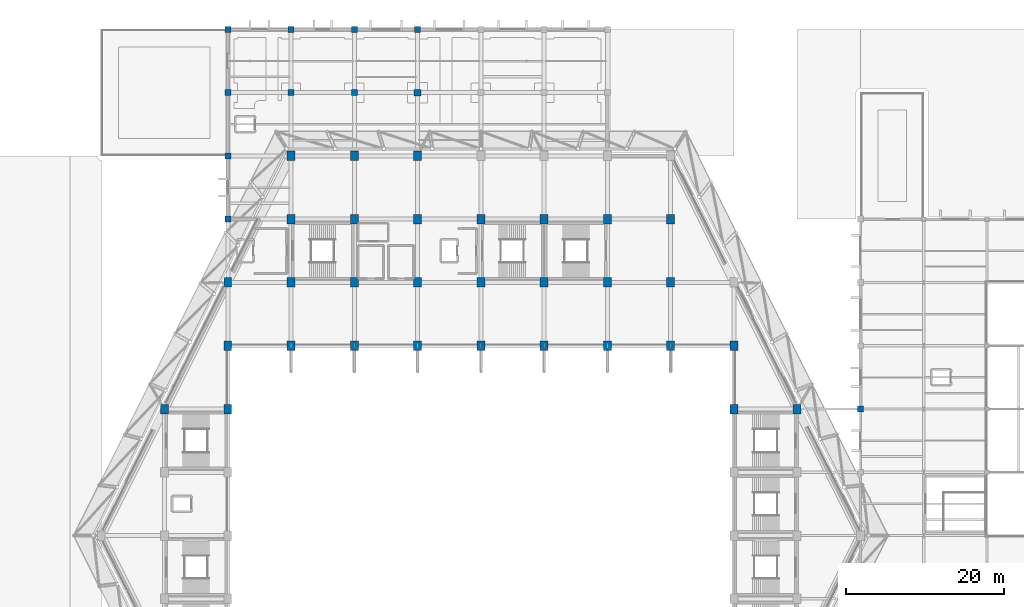
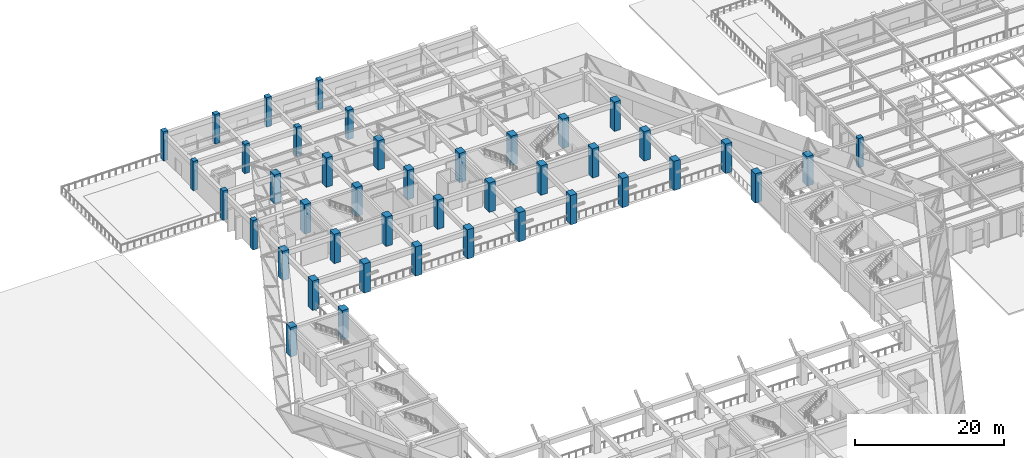
# One storey, part 3 of 46: 42 columns.
"""IFC4 building model written with IfcOpenShell, lengths in metres."""

from ifc_helpers import new_model, si_unit, direction, frame, origin, origin_2d, place, context, subcontext, project, spatial, rectangle, extrude, material, material_profile, profile_set, type_object, element, save


model = new_model("IFC4")

# Units and contexts
model_context = context("Model", 3, precision=1e-05, world=origin(), true_north=direction((0.0, 1.0)))
body_context = subcontext(model_context, "Body", "Model", "MODEL_VIEW")
ifc_project = project(units=[si_unit("LENGTHUNIT", "METRE"), si_unit("AREAUNIT", "SQUARE_METRE"), si_unit("VOLUMEUNIT", "CUBIC_METRE"), si_unit("PLANEANGLEUNIT", "RADIAN"), si_unit("MASSUNIT", "GRAM", prefix="KILO")], contexts=[model_context])

# Site, building, storey
site_placement = place(None, origin())
site = spatial("IfcSite", under=ifc_project, at=site_placement, CompositionType="ELEMENT")
building_placement = place(site_placement, origin())
building = spatial("IfcBuilding", under=site, at=building_placement, Name="Tazarka Park Arena", CompositionType="ELEMENT")
storey_placement = place(building_placement, frame((0.0, 0.0, 10.199951171875)))
storey = spatial("IfcBuildingStorey", under=building, at=storey_placement, Name="L02", CompositionType="ELEMENT", Elevation=10.199951171875)

# Columns
ifc_material_1 = material(Name="Concrete C40/50", Category="concrete")
ifc_material_profile_1 = material_profile(ifc_material_1, rectangle(XDim=0.75, YDim=0.75, at=origin_2d()), Name="Concrete C40/50")
ifc_profile_set_1 = profile_set([ifc_material_profile_1], Name="Concrete C40/50")
column_type_1 = type_object("IfcColumnType", Name="COL-C-02", PredefinedType="COLUMN", material=ifc_profile_set_1)
for number, where, z_axis, x_axis, name in (
    (1, (64.0, 120.0, 0.0), (0.0, 0.0, 1.0), (1.0, 0.0, 0.0), "CLM-L02-08-15"),
    (2, (72.0, 120.0, 0.0), (0.0, 0.0, 1.0), (1.0, 0.0, 0.0), "CLM-L02-09-15"),
    (3, (136.0, 80.0, 0.0), (0.0, 0.0, 1.0), (1.0, 0.0, 0.0), "CLM-L02-17-10"),
):
    element("IfcColumn", number, at=place(storey_placement, frame(where, z_axis=z_axis, x_axis=x_axis)), inside=storey, type_object=column_type_1, Name=name, PredefinedType="COLUMN", context=body_context, shape_type="SweptSolid", body=[
        extrude(rectangle(XDim=0.75, YDim=0.75, at=origin_2d()), origin(), (0.0, 0.0, 1.0), 4.800048828125),
    ])
ifc_material_2 = material(Name="Concrete C50/60", Category="concrete")
ifc_material_profile_2 = material_profile(ifc_material_2, rectangle(XDim=1.0, YDim=1.199951171875, at=origin_2d()), Name="Concrete C50/60")
ifc_profile_set_2 = profile_set([ifc_material_profile_2], Name="Concrete C50/60")
column_type_2 = type_object("IfcColumnType", Name="COL-C-04", PredefinedType="COLUMN", material=ifc_profile_set_2)
for number, where, z_axis, x_axis, name in (
    (4, (64.0, 96.0, 0.0), (0.0, 0.0, 1.0), (1.0, 0.0, 0.0), "CLM-L02-08-12"),
    (5, (64.0, 104.0, 0.0), (0.0, 0.0, 1.0), (1.0, 0.0, 0.0), "CLM-L02-08-13"),
    (6, (64.0, 112.0, 0.0), (0.0, 0.0, 1.0), (1.0, 0.0, 0.0), "CLM-L02-08-14"),
    (7, (72.0, 96.0, 0.0), (0.0, 0.0, 1.0), (1.0, 0.0, 0.0), "CLM-L02-09-12"),
    (8, (72.0, 104.0, 0.0), (0.0, 0.0, 1.0), (1.0, 0.0, 0.0), "CLM-L02-09-13"),
    (9, (72.0, 112.0, 0.0), (0.0, 0.0, 1.0), (1.0, 0.0, 0.0), "CLM-L02-09-14"),
    (10, (80.0, 96.0, 0.0), (0.0, 0.0, 1.0), (1.0, 0.0, 0.0), "CLM-L02-10-12"),
    (11, (80.0, 104.0, 0.0), (0.0, 0.0, 1.0), (1.0, 0.0, 0.0), "CLM-L02-10-13"),
    (12, (80.0, 112.0, 0.0), (0.0, 0.0, 1.0), (1.0, 0.0, 0.0), "CLM-L02-10-14"),
    (13, (88.0, 96.0, 0.0), (0.0, 0.0, 1.0), (1.0, 0.0, 0.0), "CLM-L02-11-12"),
    (14, (88.0, 104.0, 0.0), (0.0, 0.0, 1.0), (1.0, 0.0, 0.0), "CLM-L02-11-13"),
    (15, (96.0, 96.0, 0.0), (0.0, 0.0, 1.0), (1.0, 0.0, 0.0), "CLM-L02-12-12"),
    (16, (96.0, 104.0, 0.0), (0.0, 0.0, 1.0), (1.0, 0.0, 0.0), "CLM-L02-12-13"),
    (17, (104.0, 96.0, 0.0), (0.0, 0.0, 1.0), (1.0, 0.0, 0.0), "CLM-L02-13-12"),
    (18, (104.0, 104.0, 0.0), (0.0, 0.0, 1.0), (1.0, 0.0, 0.0), "CLM-L02-13-13"),
    (19, (112.0, 96.0, 0.0), (0.0, 0.0, 1.0), (1.0, 0.0, 0.0), "CLM-L02-14-12"),
):
    element("IfcColumn", number, at=place(storey_placement, frame(where, z_axis=z_axis, x_axis=x_axis)), inside=storey, type_object=column_type_2, Name=name, PredefinedType="COLUMN", context=body_context, shape_type="SweptSolid", body=[
        extrude(rectangle(XDim=1.0, YDim=1.199951171875, at=origin_2d()), origin(), (0.0, 0.0, 1.0), 4.800048828125),
    ])
ifc_material_3 = material(Name="Concrete C40/50", Category="concrete")
ifc_material_profile_3 = material_profile(ifc_material_3, rectangle(XDim=0.75, YDim=0.75, at=origin_2d()), Name="Concrete C40/50")
ifc_profile_set_3 = profile_set([ifc_material_profile_3], Name="Concrete C40/50")
column_type_3 = type_object("IfcColumnType", Name="COL-C-06", PredefinedType="COLUMN", material=ifc_profile_set_3)
for number, where, z_axis, x_axis, name in (
    (20, (56.0, 104.0, 0.0), (0.0, 0.0, 1.0), (1.0, 0.0, 0.0), "CLM-L02-07-13"),
    (21, (56.0, 112.0, 0.0), (0.0, 0.0, 1.0), (1.0, 0.0, 0.0), "CLM-L02-07-14"),
    (22, (56.0, 120.0, 0.0), (0.0, 0.0, 1.0), (1.0, 0.0, 0.0), "CLM-L02-07-15"),
    (23, (56.0, 128.0, 0.0), (0.0, 0.0, 1.0), (1.0, 0.0, 0.0), "CLM-L02-07-16"),
    (24, (64.0, 128.0, 0.0), (0.0, 0.0, 1.0), (1.0, 0.0, 0.0), "CLM-L02-08-16"),
    (25, (72.0, 128.0, 0.0), (0.0, 0.0, 1.0), (1.0, 0.0, 0.0), "CLM-L02-09-16"),
    (26, (80.0, 128.0, 0.0), (0.0, 0.0, 1.0), (1.0, 0.0, 0.0), "CLM-L02-10-16"),
):
    element("IfcColumn", number, at=place(storey_placement, frame(where, z_axis=z_axis, x_axis=x_axis)), inside=storey, type_object=column_type_3, Name=name, PredefinedType="COLUMN", context=body_context, shape_type="SweptSolid", body=[
        extrude(rectangle(XDim=0.75, YDim=0.75, at=origin_2d()), origin(), (0.0, 0.0, 1.0), 4.800048828125),
    ])
ifc_material_4 = material(Name="Concrete C50/60", Category="concrete")
ifc_material_profile_4 = material_profile(ifc_material_4, rectangle(XDim=1.0, YDim=1.199951171875, at=origin_2d()), Name="Concrete C50/60")
ifc_profile_set_4 = profile_set([ifc_material_profile_4], Name="Concrete C50/60")
column_type_4 = type_object("IfcColumnType", Name="COL-C-07", PredefinedType="COLUMN", material=ifc_profile_set_4)
for number, where, z_axis, x_axis, name in (
    (27, (48.0, 80.0, 0.0), (0.0, 0.0, 1.0), (1.0, 0.0, 0.0), "CLM-L02-06-10"),
    (28, (56.0, 80.0, 0.0), (0.0, 0.0, 1.0), (1.0, 0.0, 0.0), "CLM-L02-07-10"),
    (29, (56.0, 88.0, 0.0), (0.0, 0.0, 1.0), (1.0, 0.0, 0.0), "CLM-L02-07-11"),
    (30, (56.0, 96.0, 0.0), (0.0, 0.0, 1.0), (1.0, 0.0, 0.0), "CLM-L02-07-12"),
    (31, (64.0, 88.0, 0.0), (0.0, 0.0, 1.0), (1.0, 0.0, 0.0), "CLM-L02-08-11"),
    (32, (72.0, 88.0, 0.0), (0.0, 0.0, 1.0), (1.0, 0.0, 0.0), "CLM-L02-09-11"),
    (33, (80.0, 88.0, 0.0), (0.0, 0.0, 1.0), (1.0, 0.0, 0.0), "CLM-L02-10-11"),
    (34, (88.0, 88.0, 0.0), (0.0, 0.0, 1.0), (1.0, 0.0, 0.0), "CLM-L02-11-11"),
    (35, (96.0, 88.0, 0.0), (0.0, 0.0, 1.0), (1.0, 0.0, 0.0), "CLM-L02-12-11"),
    (36, (104.0, 88.0, 0.0), (0.0, 0.0, 1.0), (1.0, 0.0, 0.0), "CLM-L02-13-11"),
    (37, (112.0, 88.0, 0.0), (0.0, 0.0, 1.0), (1.0, 0.0, 0.0), "CLM-L02-14-11"),
    (38, (112.0, 104.0, 0.0), (0.0, 0.0, 1.0), (1.0, 0.0, 0.0), "CLM-L02-14-13"),
    (39, (120.0, 80.0, 0.0), (0.0, 0.0, 1.0), (1.0, 0.0, 0.0), "CLM-L02-15-10"),
    (40, (120.0, 88.0, 0.0), (0.0, 0.0, 1.0), (1.0, 0.0, 0.0), "CLM-L02-15-11"),
    (41, (128.0, 80.0, 0.0), (0.0, 0.0, 1.0), (1.0, 0.0, 0.0), "CLM-L02-16-10"),
):
    element("IfcColumn", number, at=place(storey_placement, frame(where, z_axis=z_axis, x_axis=x_axis)), inside=storey, type_object=column_type_4, Name=name, PredefinedType="COLUMN", context=body_context, shape_type="SweptSolid", body=[
        extrude(rectangle(XDim=1.0, YDim=1.199951171875, at=origin_2d()), origin(), (0.0, 0.0, 1.0), 4.800048828125),
    ])
ifc_material_5 = material(Name="Concrete C40/50", Category="concrete")
ifc_material_profile_5 = material_profile(ifc_material_5, rectangle(XDim=0.85009765625, YDim=0.85009765625, at=origin_2d()), Name="Concrete C40/50")
ifc_profile_set_5 = profile_set([ifc_material_profile_5], Name="Concrete C40/50")
column_type_5 = type_object("IfcColumnType", Name="COL-C-10", PredefinedType="COLUMN", material=ifc_profile_set_5)
column_placement = place(storey_placement, frame((80.0, 120.0, 0.0), z_axis=(0.0, 0.0, 1.0), x_axis=(1.0, 0.0, 0.0)))
element("IfcColumn", 42, at=column_placement, inside=storey, type_object=column_type_5, Name="CLM-L02-10-15", PredefinedType="COLUMN", context=body_context, shape_type="SweptSolid", body=[
    extrude(rectangle(XDim=0.85009765625, YDim=0.85009765625, at=origin_2d()), origin(), (0.0, 0.0, 1.0), 4.800048828125),
])

save(model, "model.ifc")
